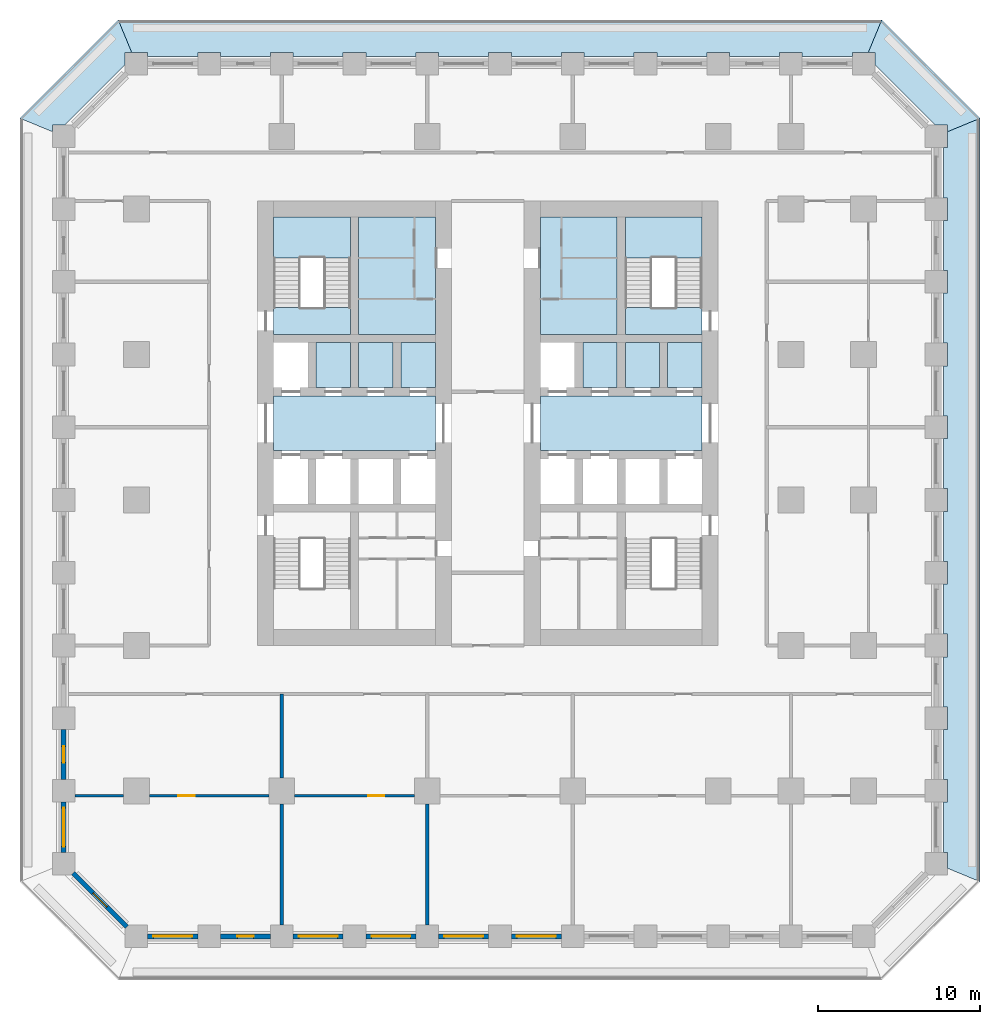
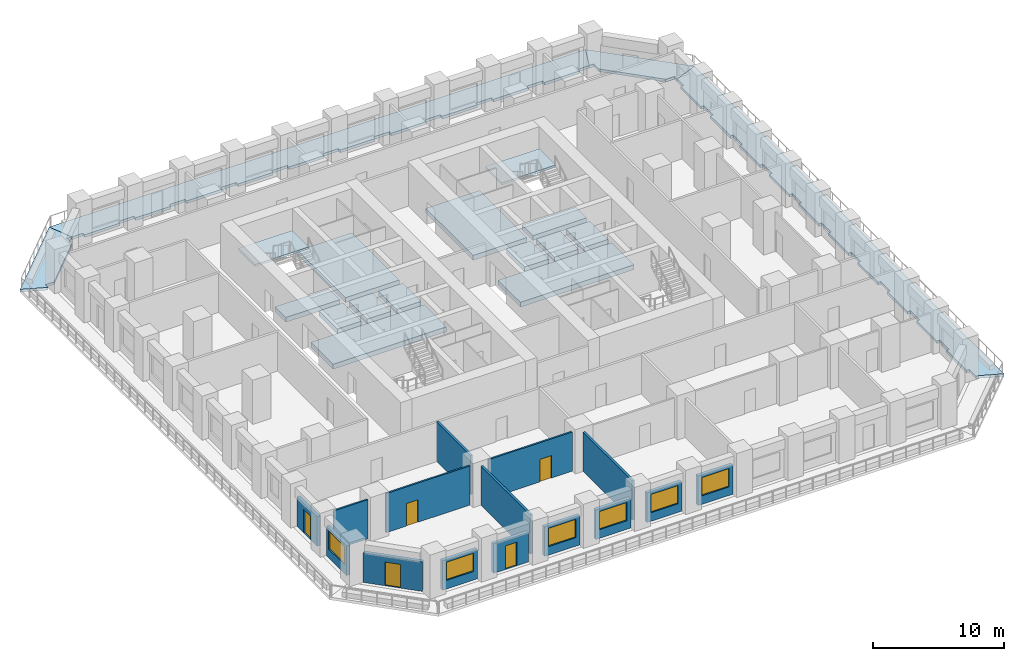
# One storey, part 2 of 11: 18 slabs, 15 walls, 6 windows, 5 doors, 11 openings, 2 elements without a shape of their own.
"""IFC4 building model written with IfcOpenShell, lengths in metres."""

import ifcopenshell
import ifcopenshell.guid

model = None  # the IFC model being written
_history = None  # IfcOwnerHistory: only IFC2X3 demands one
_inside = {}  # id of a spatial element -> (the spatial element, [elements in it])
_under = {}  # id of a project, library or spatial element -> (it, [spatial elements below it])
_declared = {}  # id of a project -> (the project, [libraries it declares])
_typed = {}  # id of a type object -> (the type object, [elements of that type])
_made_of = {}  # id of a material, layer set ... -> (it, [elements and type objects made of it])


def new_model(schema):
    """Start an empty IFC model of exactly this schema.

    Asked for "IFC4X3", IfcOpenShell would pick the latest addendum, in which some entities
    have other attributes; the version numbers below select the first issue.
    IFC2X3 requires an IfcOwnerHistory on every rooted entity: one is made here for all.
    """
    global model, _history
    if schema == "IFC4X3":
        model = ifcopenshell.file(schema_version=(4, 3, 0, 0))
    else:
        model = ifcopenshell.file(schema=schema)
    _inside.clear()
    _under.clear()
    _declared.clear()
    _typed.clear()
    _made_of.clear()
    _history = None
    if model.schema == "IFC2X3":
        org = make("IfcOrganization", Name="unknown")
        user = make(
            "IfcPersonAndOrganization",
            ThePerson=make("IfcPerson", FamilyName="unknown"),
            TheOrganization=org,
        )
        app = make(
            "IfcApplication",
            ApplicationDeveloper=org,
            Version="unknown",
            ApplicationFullName="unknown",
            ApplicationIdentifier="unknown",
        )
        _history = make(
            "IfcOwnerHistory",
            OwningUser=user,
            OwningApplication=app,
            ChangeAction="ADDED",
            CreationDate=0,
        )
    return model


def make(cls, **values):
    """One entity of the class cls with the attributes given. An attribute that is None is left unset."""
    return model.create_entity(
        cls, **{name: value for name, value in values.items() if value is not None}
    )


def rooted(cls, **values):
    """An entity with a GlobalId (a new one), such as an element, a storey or a relation."""
    return make(cls, GlobalId=ifcopenshell.guid.new(), OwnerHistory=_history, **values)


def si_unit(unit_type, name, prefix=None):
    """IfcSIUnit, for example si_unit("LENGTHUNIT", "METRE", prefix="MILLI")."""
    return make("IfcSIUnit", UnitType=unit_type, Prefix=prefix, Name=name)


def assignment(units):
    """IfcUnitAssignment: the units of a project."""
    return None if units is None else make("IfcUnitAssignment", Units=units)


def point(xyz):
    """IfcCartesianPoint."""
    return None if xyz is None else make("IfcCartesianPoint", Coordinates=xyz)


def direction(xyz):
    """IfcDirection."""
    return None if xyz is None else make("IfcDirection", DirectionRatios=xyz)


def frame(location, z_axis=None, x_axis=None):
    """IfcAxis2Placement3D, a coordinate frame: its origin and axes. An axis left out is left unset."""
    return make(
        "IfcAxis2Placement3D",
        Location=point(location),
        Axis=direction(z_axis),
        RefDirection=direction(x_axis),
    )


def frame_2d(location, x_axis=None):
    """IfcAxis2Placement2D, a coordinate frame in the plane: its origin and x axis."""
    return make(
        "IfcAxis2Placement2D", Location=point(location), RefDirection=direction(x_axis)
    )


def origin():
    """The frame at (0, 0, 0) with its axes left unset."""
    return frame((0.0, 0.0, 0.0))


def place(relative_to, where):
    """IfcLocalPlacement: puts the frame where relative to a parent placement (None: the world)."""
    return make(
        "IfcLocalPlacement", PlacementRelTo=relative_to, RelativePlacement=where
    )


def context(
    kind, dimensions, precision=None, world=None, true_north=None, identifier=None
):
    """IfcGeometricRepresentationContext, for example the 3D "Model" context."""
    return make(
        "IfcGeometricRepresentationContext",
        ContextIdentifier=identifier,
        ContextType=kind,
        CoordinateSpaceDimension=dimensions,
        Precision=precision,
        WorldCoordinateSystem=world,
        TrueNorth=true_north,
    )


def subcontext(parent, identifier, kind, view, scale=None):
    """IfcGeometricRepresentationSubContext, for example "Body" below "Model"."""
    return make(
        "IfcGeometricRepresentationSubContext",
        ContextIdentifier=identifier,
        ContextType=kind,
        ParentContext=parent,
        TargetScale=scale,
        TargetView=view,
    )


def project(units=None, contexts=None):
    """IfcProject with its units and contexts."""
    return rooted(
        "IfcProject",
        Name="project",
        RepresentationContexts=contexts,
        UnitsInContext=assignment(units),
    )


def spatial(cls, under=None, at=None, **own):
    """A site, building, storey or space (cls), placed at a placement, below another one or the project."""
    s = rooted(cls, ObjectPlacement=at, **own)
    if under is not None:
        _under.setdefault(under.id(), (under, []))[1].append(s)
    return s


def polyline(points):
    """IfcPolyline through the points."""
    return make("IfcPolyline", Points=[point(p) for p in points])


def profile(cls, at=None, kind="AREA", **sizes):
    """A parametric profile (cls). Its sizes go by their IFC names, for example OverallWidth=200.0."""
    return make(cls, ProfileType=kind, Position=at, **sizes)


def rectangle(**sizes):
    """IfcRectangleProfileDef."""
    return profile("IfcRectangleProfileDef", **sizes)


def outline(outer, holes=None, kind="AREA"):
    """IfcArbitraryClosedProfileDef: a profile drawn as a closed curve; with holes, ...WithVoids."""
    if holes is None:
        return make("IfcArbitraryClosedProfileDef", ProfileType=kind, OuterCurve=outer)
    return make(
        "IfcArbitraryProfileDefWithVoids",
        ProfileType=kind,
        OuterCurve=outer,
        InnerCurves=holes,
    )


def extrude(swept, where, along, depth):
    """IfcExtrudedAreaSolid: the profile swept, set in the frame where, extruded along a direction by depth."""
    return make(
        "IfcExtrudedAreaSolid",
        SweptArea=swept,
        Position=where,
        ExtrudedDirection=direction(along),
        Depth=depth,
    )


def shape(context_of_items, identifier, shape_type, items):
    """IfcShapeRepresentation: the items that make up one representation, for example the "Body"."""
    return make(
        "IfcShapeRepresentation",
        ContextOfItems=context_of_items,
        RepresentationIdentifier=identifier,
        RepresentationType=shape_type,
        Items=items,
    )


def material(Name=None, Category=None):
    """IfcMaterial."""
    return make("IfcMaterial", Name=Name, Category=Category)


def layer(
    of_material, thickness, ventilated=None, Name=None, Category=None, Priority=None
):
    """IfcMaterialLayer: one layer of a wall or slab, of a material (None: an air gap)."""
    return make(
        "IfcMaterialLayer",
        Material=of_material,
        LayerThickness=thickness,
        IsVentilated=ventilated,
        Name=Name,
        Category=Category,
        Priority=Priority,
    )


def layer_set(layers, Name=None):
    """IfcMaterialLayerSet."""
    return make("IfcMaterialLayerSet", MaterialLayers=layers, LayerSetName=Name)


def made_of(thing, what):
    """Note that an element or type object is made of a material, layer set ...; save() writes the relation."""
    if what is not None:
        _made_of.setdefault(what.id(), (what, []))[1].append(thing)
    return thing


def type_object(cls, material=None, **own):
    """A type object (cls), such as IfcWallType, which elements share."""
    return made_of(rooted(cls, **own), material)


def element(
    cls,
    number,
    at=None,
    inside=None,
    cuts=None,
    type_object=None,
    material=None,
    context=None,
    identifier="Body",
    shape_type=None,
    held_by="IfcProductDefinitionShape",
    body=None,
    shapes=None,
    **own,
):
    """One element of the class cls, such as IfcWall. Its Tag is "e" and its number.

    at: its placement. inside: the storey or other place that contains it. cuts: it is an
    opening in that element (IfcRelVoidsElement). A single representation is given by context,
    identifier, shape_type and body (its items); several are given by shapes. held_by: the class
    of the entity that holds the representations. save() writes the other relations.
    """
    e = rooted(cls, Tag="e%d" % number, ObjectPlacement=at, **own)
    if body is not None:
        shapes = [shape(context, identifier, shape_type, body)]
    if shapes is not None:
        e.Representation = make(held_by, Representations=shapes)
    if inside is not None:
        _inside.setdefault(inside.id(), (inside, []))[1].append(e)
    if cuts is not None:
        rooted(
            "IfcRelVoidsElement", RelatingBuildingElement=cuts, RelatedOpeningElement=e
        )
    if type_object is not None:
        _typed.setdefault(type_object.id(), (type_object, []))[1].append(e)
    return made_of(e, material)


def fill(opening, filler):
    """IfcRelFillsElement: the door or window that sits in an opening."""
    return rooted(
        "IfcRelFillsElement",
        RelatingOpeningElement=opening,
        RelatedBuildingElement=filler,
    )


def aggregate(whole, parts):
    """IfcRelAggregates: a whole, such as a stair, and the parts it consists of."""
    return rooted("IfcRelAggregates", RelatingObject=whole, RelatedObjects=parts)


def save(model, path):
    """Write the relations noted so far, then the file.

    IfcRelAggregates (storeys below a building ...), IfcRelContainedInSpatialStructure (elements
    in a storey), IfcRelDefinesByType, IfcRelAssociatesMaterial and IfcRelDeclares: one each for
    every whole, place, type object, material and project.
    """
    for whole, parts in _under.values():
        aggregate(whole, parts)
    for where, things in _inside.values():
        rooted(
            "IfcRelContainedInSpatialStructure",
            RelatedElements=things,
            RelatingStructure=where,
        )
    for kind, things in _typed.values():
        rooted("IfcRelDefinesByType", RelatedObjects=things, RelatingType=kind)
    for what, things in _made_of.values():
        rooted("IfcRelAssociatesMaterial", RelatedObjects=things, RelatingMaterial=what)
    for by, libraries in _declared.values():
        rooted("IfcRelDeclares", RelatingContext=by, RelatedDefinitions=libraries)
    model.write(path)


model = new_model("IFC4")

# Units and contexts
model_context = context("Model", 3, precision=1e-05, world=origin(), true_north=direction((0.0, 1.0)))
body_context = subcontext(model_context, "Body", "Model", "MODEL_VIEW")
ifc_project = project(units=[si_unit("LENGTHUNIT", "METRE"), si_unit("AREAUNIT", "SQUARE_METRE"), si_unit("VOLUMEUNIT", "CUBIC_METRE"), si_unit("PLANEANGLEUNIT", "RADIAN"), si_unit("MASSUNIT", "GRAM", prefix="KILO")], contexts=[model_context])

# Site, building, storey
site_placement = place(None, origin())
site = spatial("IfcSite", under=ifc_project, at=site_placement, CompositionType="ELEMENT")
building_placement = place(site_placement, origin())
building = spatial("IfcBuilding", under=site, at=building_placement, Name="Corbel Stack Research Tower", CompositionType="ELEMENT")
storey_placement = place(building_placement, frame((0.0, 0.0, 62.39990234375)))
storey = spatial("IfcBuildingStorey", under=building, at=storey_placement, Name="L14", CompositionType="ELEMENT", Elevation=62.39990234375)

# Slabs
ifc_material_1 = material(Name="Concrete C45/55", Category="concrete")
ifc_layer_1 = layer(ifc_material_1, 0.25)
ifc_layer_set_1 = layer_set([ifc_layer_1], Name="Concrete C45/55")
slab_type_1 = type_object("IfcSlabType", Name="PT balcony slab 250 C45/55", PredefinedType="FLOOR", material=ifc_layer_set_1)
slab_1_placement = place(storey_placement, frame((0.0, 0.0, -0.25)))
element("IfcSlab", 1, at=slab_1_placement, inside=storey, type_object=slab_type_1, Name="Loggia slab L14 E", PredefinedType="FLOOR", context=body_context, shape_type="SweptSolid", body=[
    extrude(outline(polyline([(32.199951171875, 22.789794921875), (32.199951171875, 21.800048828125), (31.949951171875, 21.800048828125), (31.949951171875, 18.699951171875), (32.199951171875, 18.699951171875), (32.199951171875, 17.300048828125), (31.949951171875, 17.300048828125), (31.949951171875, 14.199951171875), (32.199951171875, 14.199951171875), (32.199951171875, 12.800048828125), (31.949951171875, 12.800048828125), (31.949951171875, 9.699951171875), (32.199951171875, 9.699951171875), (32.199951171875, 8.300048828125), (31.949951171875, 8.300048828125), (31.949951171875, 5.199951171875), (32.199951171875, 5.199951171875), (32.199951171875, 3.800048828125), (31.949951171875, 3.800048828125), (31.949951171875, 0.699951171875), (32.199951171875, 0.699951171875), (32.199951171875, -0.699951171875), (31.949951171875, -0.699951171875), (31.949951171875, -3.800048828125), (32.199951171875, -3.800048828125), (32.199951171875, -5.199951171875), (31.949951171875, -5.199951171875), (31.949951171875, -8.300048828125), (32.199951171875, -8.300048828125), (32.199951171875, -9.699951171875), (31.949951171875, -9.699951171875), (31.949951171875, -12.800048828125), (32.199951171875, -12.800048828125), (32.199951171875, -14.199951171875), (31.949951171875, -14.199951171875), (31.949951171875, -17.300048828125), (32.199951171875, -17.300048828125), (32.199951171875, -18.699951171875), (31.949951171875, -18.699951171875), (31.949951171875, -21.800048828125), (32.199951171875, -21.800048828125), (32.199951171875, -22.789794921875), (34.199951171875, -23.618408203125), (34.199951171875, 23.618408203125), (32.199951171875, 22.789794921875)])), origin(), (0.0, 0.0, 1.0), 0.25),
])
slab_2_placement = place(storey_placement, frame((0.0, 0.0, -0.25)))
element("IfcSlab", 2, at=slab_2_placement, inside=storey, type_object=slab_type_1, Name="Loggia slab L14 NE", PredefinedType="FLOOR", context=body_context, shape_type="SweptSolid", body=[
    extrude(outline(polyline([(27.289794921875, 27.699951171875), (27.699951171875, 27.699951171875), (27.699951171875, 26.936279296875), (31.436279296875, 23.199951171875), (32.199951171875, 23.199951171875), (32.199951171875, 22.789794921875), (34.199951171875, 23.618408203125), (28.118408203125, 29.699951171875), (27.289794921875, 27.699951171875)])), origin(), (0.0, 0.0, 1.0), 0.25),
])
slab_3_placement = place(storey_placement, frame((0.0, 0.0, -0.25)))
element("IfcSlab", 3, at=slab_3_placement, inside=storey, type_object=slab_type_1, Name="Loggia slab L14 N", PredefinedType="FLOOR", context=body_context, shape_type="SweptSolid", body=[
    extrude(outline(polyline([(-18.289794921875, 27.699951171875), (-17.300048828125, 27.699951171875), (-17.300048828125, 27.449951171875), (-14.199951171875, 27.449951171875), (-14.199951171875, 27.699951171875), (-12.800048828125, 27.699951171875), (-12.800048828125, 27.449951171875), (-9.699951171875, 27.449951171875), (-9.699951171875, 27.699951171875), (-8.300048828125, 27.699951171875), (-8.300048828125, 27.449951171875), (-5.199951171875, 27.449951171875), (-5.199951171875, 27.699951171875), (-3.800048828125, 27.699951171875), (-3.800048828125, 27.449951171875), (-0.699951171875, 27.449951171875), (-0.699951171875, 27.699951171875), (0.699951171875, 27.699951171875), (0.699951171875, 27.449951171875), (3.800048828125, 27.449951171875), (3.800048828125, 27.699951171875), (5.199951171875, 27.699951171875), (5.199951171875, 27.449951171875), (8.300048828125, 27.449951171875), (8.300048828125, 27.699951171875), (9.699951171875, 27.699951171875), (9.699951171875, 27.449951171875), (12.800048828125, 27.449951171875), (12.800048828125, 27.699951171875), (14.199951171875, 27.699951171875), (14.199951171875, 27.449951171875), (17.300048828125, 27.449951171875), (17.300048828125, 27.699951171875), (18.699951171875, 27.699951171875), (18.699951171875, 27.449951171875), (21.800048828125, 27.449951171875), (21.800048828125, 27.699951171875), (23.199951171875, 27.699951171875), (23.199951171875, 27.449951171875), (26.300048828125, 27.449951171875), (26.300048828125, 27.699951171875), (27.289794921875, 27.699951171875), (28.118408203125, 29.699951171875), (-19.118408203125, 29.699951171875), (-18.289794921875, 27.699951171875)])), origin(), (0.0, 0.0, 1.0), 0.25),
])
slab_4_placement = place(storey_placement, frame((0.0, 0.0, -0.25)))
element("IfcSlab", 4, at=slab_4_placement, inside=storey, type_object=slab_type_1, Name="Loggia slab L14 NW", PredefinedType="FLOOR", context=body_context, shape_type="SweptSolid", body=[
    extrude(outline(polyline([(-23.199951171875, 22.789794921875), (-23.199951171875, 23.199951171875), (-22.436279296875, 23.199951171875), (-18.699951171875, 26.936279296875), (-18.699951171875, 27.699951171875), (-18.289794921875, 27.699951171875), (-19.118408203125, 29.699951171875), (-25.199951171875, 23.618408203125), (-23.199951171875, 22.789794921875)])), origin(), (0.0, 0.0, 1.0), 0.25),
])
ifc_material_2 = material(Name="Concrete C45/55", Category="concrete")
ifc_layer_2 = layer(ifc_material_2, 0.449951171875)
ifc_layer_set_2 = layer_set([ifc_layer_2], Name="Concrete C45/55")
slab_type_2 = type_object("IfcSlabType", Name="PT-450", PredefinedType="FLOOR", material=ifc_layer_set_2)
slab_5_placement = place(storey_placement, frame((0.0, 0.0, -0.449951171875)))
element("IfcSlab", 5, at=slab_5_placement, inside=storey, type_object=slab_type_2, Name="West core floor L14", PredefinedType="FLOOR", context=body_context, shape_type="SweptSolid", body=[
    extrude(outline(polyline([(-9.5, 6.449951171875), (-9.5, 3.050048828125), (0.5, 3.050048828125), (0.5, 6.449951171875), (-9.5, 6.449951171875)])), origin(), (0.0, 0.0, 1.0), 0.449951171875),
])
slab_6_placement = place(storey_placement, frame((0.0, 0.0, -0.449951171875)))
element("IfcSlab", 6, at=slab_6_placement, inside=storey, type_object=slab_type_2, Name="West core floor L14", PredefinedType="FLOOR", context=body_context, shape_type="SweptSolid", body=[
    extrude(outline(polyline([(-6.875, 6.949951171875), (-4.75, 6.949951171875), (-4.75, 9.75), (-6.875, 9.75), (-6.875, 6.949951171875)])), origin(), (0.0, 0.0, 1.0), 0.449951171875),
])
slab_7_placement = place(storey_placement, frame((0.0, 0.0, -0.449951171875)))
element("IfcSlab", 7, at=slab_7_placement, inside=storey, type_object=slab_type_2, Name="West core floor L14", PredefinedType="FLOOR", context=body_context, shape_type="SweptSolid", body=[
    extrude(outline(polyline([(-2.125, 6.949951171875), (-2.125, 9.75), (-4.25, 9.75), (-4.25, 6.949951171875), (-2.125, 6.949951171875)])), origin(), (0.0, 0.0, 1.0), 0.449951171875),
])
slab_8_placement = place(storey_placement, frame((0.0, 0.0, -0.449951171875)))
element("IfcSlab", 8, at=slab_8_placement, inside=storey, type_object=slab_type_2, Name="West core floor L14", PredefinedType="FLOOR", context=body_context, shape_type="SweptSolid", body=[
    extrude(outline(polyline([(-4.25, 17.5), (-4.25, 10.25), (0.5, 10.25), (0.5, 17.5), (-4.25, 17.5)])), origin(), (0.0, 0.0, 1.0), 0.449951171875),
])
slab_9_placement = place(storey_placement, frame((0.0, 0.0, -0.449951171875)))
element("IfcSlab", 9, at=slab_9_placement, inside=storey, type_object=slab_type_2, Name="West core floor L14", PredefinedType="FLOOR", context=body_context, shape_type="SweptSolid", body=[
    extrude(outline(polyline([(0.5, 6.949951171875), (0.5, 9.75), (-1.625, 9.75), (-1.625, 6.949951171875), (0.5, 6.949951171875)])), origin(), (0.0, 0.0, 1.0), 0.449951171875),
])
slab_10_placement = place(storey_placement, frame((0.0, 0.0, -0.449951171875)))
element("IfcSlab", 10, at=slab_10_placement, inside=storey, type_object=slab_type_2, Name="East core floor L14", PredefinedType="FLOOR", context=body_context, shape_type="SweptSolid", body=[
    extrude(outline(polyline([(7.0, 6.449951171875), (7.0, 3.050048828125), (17.0, 3.050048828125), (17.0, 6.449951171875), (7.0, 6.449951171875)])), origin(), (0.0, 0.0, 1.0), 0.449951171875),
])
slab_11_placement = place(storey_placement, frame((0.0, 0.0, -0.449951171875)))
element("IfcSlab", 11, at=slab_11_placement, inside=storey, type_object=slab_type_2, Name="East core floor L14", PredefinedType="FLOOR", context=body_context, shape_type="SweptSolid", body=[
    extrude(outline(polyline([(7.0, 17.5), (7.0, 10.25), (11.75, 10.25), (11.75, 17.5), (7.0, 17.5)])), origin(), (0.0, 0.0, 1.0), 0.449951171875),
])
slab_12_placement = place(storey_placement, frame((0.0, 0.0, -0.449951171875)))
element("IfcSlab", 12, at=slab_12_placement, inside=storey, type_object=slab_type_2, Name="East core floor L14", PredefinedType="FLOOR", context=body_context, shape_type="SweptSolid", body=[
    extrude(outline(polyline([(9.625, 6.949951171875), (11.75, 6.949951171875), (11.75, 9.75), (9.625, 9.75), (9.625, 6.949951171875)])), origin(), (0.0, 0.0, 1.0), 0.449951171875),
])
slab_13_placement = place(storey_placement, frame((0.0, 0.0, -0.449951171875)))
element("IfcSlab", 13, at=slab_13_placement, inside=storey, type_object=slab_type_2, Name="East core floor L14", PredefinedType="FLOOR", context=body_context, shape_type="SweptSolid", body=[
    extrude(outline(polyline([(14.375, 6.949951171875), (14.375, 9.75), (12.25, 9.75), (12.25, 6.949951171875), (14.375, 6.949951171875)])), origin(), (0.0, 0.0, 1.0), 0.449951171875),
])
slab_14_placement = place(storey_placement, frame((0.0, 0.0, -0.449951171875)))
element("IfcSlab", 14, at=slab_14_placement, inside=storey, type_object=slab_type_2, Name="East core floor L14", PredefinedType="FLOOR", context=body_context, shape_type="SweptSolid", body=[
    extrude(outline(polyline([(17.0, 6.949951171875), (17.0, 9.75), (14.875, 9.75), (14.875, 6.949951171875), (17.0, 6.949951171875)])), origin(), (0.0, 0.0, 1.0), 0.449951171875),
])
slab_15_placement = place(storey_placement, frame((0.0, 0.0, -0.449951171875)))
element("IfcSlab", 15, at=slab_15_placement, inside=storey, type_object=slab_type_2, Name="Stair floor landing ST-W2", PredefinedType="FLOOR", context=body_context, shape_type="SweptSolid", body=[
    extrude(outline(polyline([(-9.5, 10.25), (-4.75, 10.25), (-4.75, 11.89990234375), (-9.5, 11.89990234375), (-9.5, 10.25)])), origin(), (0.0, 0.0, 1.0), 0.449951171875),
])
slab_16_placement = place(storey_placement, frame((0.0, 0.0, -0.449951171875)))
element("IfcSlab", 16, at=slab_16_placement, inside=storey, type_object=slab_type_2, Name="Stair floor landing ST-E2", PredefinedType="FLOOR", context=body_context, shape_type="SweptSolid", body=[
    extrude(outline(polyline([(12.25, 10.25), (17.0, 10.25), (17.0, 11.89990234375), (12.25, 11.89990234375), (12.25, 10.25)])), origin(), (0.0, 0.0, 1.0), 0.449951171875),
])

# Stair, slab
ifc_material_3 = material(Name="Concrete C40/50", Category="concrete")
stair_type = type_object("IfcStairType", Name="Exit stair 24 risers", PredefinedType="HALF_TURN_STAIR", material=ifc_material_3)
stair_1_placement = place(storey_placement, origin())
stair_1 = element("IfcStair", 17, at=stair_1_placement, inside=storey, type_object=stair_type, Name="L14 Exit stair ST-W2", PredefinedType="HALF_TURN_STAIR")
ifc_material_4 = material(Name="Concrete C40/50", Category="concrete")
ifc_layer_3 = layer(ifc_material_4, 0.199951171875)
ifc_layer_set_3 = layer_set([ifc_layer_3], Name="Concrete C40/50")
slab_type_3 = type_object("IfcSlabType", Name="Stair landing 200 C40/50", PredefinedType="LANDING", material=ifc_layer_set_3)
slab_17_placement = place(storey_placement, frame((0.0, 0.0, 1.85009765625)))
slab_17 = element("IfcSlab", 18, at=slab_17_placement, type_object=slab_type_3, Name="ST-W2 landing 1", PredefinedType="LANDING", context=body_context, shape_type="SweptSolid", body=[
    extrude(outline(polyline([(-9.5, 14.97998046875), (-9.5, 17.5), (-4.75, 17.5), (-4.75, 14.97998046875), (-9.5, 14.97998046875)])), origin(), (0.0, 0.0, 1.0), 0.199951171875),
])
aggregate(stair_1, [slab_17])

stair_2_placement = place(storey_placement, origin())
stair_2 = element("IfcStair", 19, at=stair_2_placement, inside=storey, type_object=stair_type, Name="L14 Exit stair ST-E2", PredefinedType="HALF_TURN_STAIR")
slab_18_placement = place(storey_placement, frame((0.0, 0.0, 1.85009765625)))
slab_18 = element("IfcSlab", 20, at=slab_18_placement, type_object=slab_type_3, Name="ST-E2 landing 1", PredefinedType="LANDING", context=body_context, shape_type="SweptSolid", body=[
    extrude(outline(polyline([(12.25, 14.97998046875), (12.25, 17.5), (17.0, 17.5), (17.0, 14.97998046875), (12.25, 14.97998046875)])), origin(), (0.0, 0.0, 1.0), 0.199951171875),
])
aggregate(stair_2, [slab_18])

# Walls
ifc_material_5 = material(Name="Fire-rated gypsum board partition on steel studs", Category="steel")
ifc_layer_4 = layer(ifc_material_5, 0.199951171875)
ifc_layer_set_4 = layer_set([ifc_layer_4], Name="Fire-rated gypsum board partition on steel studs")
wall_type_1 = type_object("IfcWallType", Name="Fire-rated partition 200 EI 60", PredefinedType="PARTITIONING", material=ifc_layer_set_4)
wall_1_placement = place(storey_placement, frame((-9.0, -26.300048828125, 0.0), z_axis=(0.0, 0.0, 1.0), x_axis=(0.0, 1.0, 0.0)))
element("IfcWall", 21, at=wall_1_placement, inside=storey, type_object=wall_type_1, Name="Partition L14-002", PredefinedType="PARTITIONING", context=body_context, shape_type="SweptSolid", body=[
    extrude(rectangle(XDim=7.5, YDim=0.199951171875, at=frame_2d((3.75, 0.0))), origin(), (0.0, 0.0, 1.0), 3.650146484375),
])
wall_2_placement = place(storey_placement, frame((-9.0, -17.199951171875, 0.0), z_axis=(0.0, 0.0, 1.0), x_axis=(0.0, 1.0, 0.0)))
element("IfcWall", 22, at=wall_2_placement, inside=storey, type_object=wall_type_1, Name="Partition L14-003", PredefinedType="PARTITIONING", context=body_context, shape_type="SweptSolid", body=[
    extrude(rectangle(XDim=5.199951171875, YDim=0.199951171875, at=frame_2d((2.60009765625, 0.0))), origin(), (0.0, 0.0, 1.0), 3.650146484375),
])
wall_3_placement = place(storey_placement, frame((0.0, -26.300048828125, 0.0), z_axis=(0.0, 0.0, 1.0), x_axis=(0.0, 1.0, 0.0)))
element("IfcWall", 23, at=wall_3_placement, inside=storey, type_object=wall_type_1, Name="Partition L14-005", PredefinedType="PARTITIONING", context=body_context, shape_type="SweptSolid", body=[
    extrude(rectangle(XDim=7.5, YDim=0.199951171875, at=frame_2d((3.75, 0.0))), origin(), (0.0, 0.0, 1.0), 3.650146484375),
])
ifc_material_6 = material(Name="Gypsum board partition on steel studs", Category="steel")
ifc_layer_5 = layer(ifc_material_6, 0.14990234375)
ifc_layer_set_5 = layer_set([ifc_layer_5], Name="Gypsum board partition on steel studs")
wall_type_2 = type_object("IfcWallType", Name="Partition 150", PredefinedType="PARTITIONING", material=ifc_layer_set_5)
wall_4_placement = place(storey_placement, frame((-21.800048828125, -18.300048828125, 0.0), z_axis=(0.0, 0.0, 1.0), x_axis=(1.0, 0.0, 0.0)))
element("IfcWall", 24, at=wall_4_placement, inside=storey, type_object=wall_type_2, Name="Partition L14-018", PredefinedType="PARTITIONING", context=body_context, shape_type="SweptSolid", body=[
    extrude(rectangle(XDim=3.0, YDim=0.14990234375, at=frame_2d((1.5, 0.0))), origin(), (0.0, 0.0, 1.0), 3.650146484375),
])

# Wall, opening, door
wall_5_placement = place(storey_placement, frame((-9.800048828125, -18.300048828125, 0.0), z_axis=(0.0, 0.0, 1.0), x_axis=(-1.0, 0.0, 0.0)))
wall_5 = element("IfcWall", 25, at=wall_5_placement, inside=storey, type_object=wall_type_2, Name="Partition L14-019", PredefinedType="PARTITIONING", context=body_context, shape_type="SweptSolid", body=[
    extrude(rectangle(XDim=7.39990234375, YDim=0.14990234375, at=frame_2d((3.699951171875, 0.0))), origin(), (0.0, 0.0, 1.0), 3.650146484375),
])
opening_1_placement = place(wall_5_placement, frame((4.60009765625, 0.0, 0.0)))
opening_1 = element("IfcOpeningElement", 26, at=opening_1_placement, cuts=wall_5, Name="Opening B2V2-001", PredefinedType="OPENING", context=body_context, shape_type="SweptSolid", body=[
    extrude(rectangle(XDim=1.0, YDim=2.10009765625, at=frame_2d((0.5, 1.050048828125))), frame((0.0, 0.0849609375, 0.0), z_axis=(0.0, -1.0, 0.0), x_axis=(1.0, 0.0, 0.0)), (0.0, 0.0, 1.0), 0.169921875),
])
ifc_material_7 = material(Name="Painted timber door", Category="wood")
door_type_1 = type_object("IfcDoorType", Name="Single door 1000 x 2100", OperationType="NOTDEFINED", PredefinedType="DOOR", material=ifc_material_7)
door_1_placement = place(opening_1_placement, origin())
door_1 = element("IfcDoor", 27, at=door_1_placement, inside=storey, type_object=door_type_1, Name="Door B2V2-001", OperationType="SINGLE_SWING_RIGHT", OverallHeight=2.10009765625, OverallWidth=1.0, PredefinedType="DOOR", context=body_context, shape_type="SweptSolid", body=[
    extrude(rectangle(XDim=1.0, YDim=2.10009765625, at=frame_2d((0.5, 1.050048828125))), frame((0.0, 0.02490234375, 0.0), z_axis=(0.0, -1.0, 0.0), x_axis=(1.0, 0.0, 0.0)), (0.0, 0.0, 1.0), 0.050048828125),
])
fill(opening_1, door_1)

wall_6_placement = place(storey_placement, frame((-0.800048828125, -18.300048828125, 0.0), z_axis=(0.0, 0.0, 1.0), x_axis=(-1.0, 0.0, 0.0)))
wall_6 = element("IfcWall", 28, at=wall_6_placement, inside=storey, type_object=wall_type_2, Name="Partition L14-020", PredefinedType="PARTITIONING", context=body_context, shape_type="SweptSolid", body=[
    extrude(rectangle(XDim=7.39990234375, YDim=0.14990234375, at=frame_2d((3.699951171875, 0.0))), origin(), (0.0, 0.0, 1.0), 3.650146484375),
])
opening_2_placement = place(wall_6_placement, frame((1.85009765625, 0.0, 0.0)))
opening_2 = element("IfcOpeningElement", 29, at=opening_2_placement, cuts=wall_6, Name="Opening B2V2-002", PredefinedType="OPENING", context=body_context, shape_type="SweptSolid", body=[
    extrude(rectangle(XDim=1.0, YDim=2.10009765625, at=frame_2d((0.5, 1.050048828125))), frame((0.0, 0.0849609375, 0.0), z_axis=(0.0, -1.0, 0.0), x_axis=(1.0, 0.0, 0.0)), (0.0, 0.0, 1.0), 0.169921875),
])
door_2_placement = place(opening_2_placement, origin())
door_2 = element("IfcDoor", 30, at=door_2_placement, inside=storey, type_object=door_type_1, Name="Door B2V2-002", OperationType="SINGLE_SWING_LEFT", OverallHeight=2.10009765625, OverallWidth=1.0, PredefinedType="DOOR", context=body_context, shape_type="SweptSolid", body=[
    extrude(rectangle(XDim=1.0, YDim=2.10009765625, at=frame_2d((0.5, 1.050048828125))), frame((0.0, 0.02490234375, 0.0), z_axis=(0.0, -1.0, 0.0), x_axis=(1.0, 0.0, 0.0)), (0.0, 0.0, 1.0), 0.050048828125),
])
fill(opening_2, door_2)

# Wall, opening, window
ifc_material_8 = material(Name="Concrete C45/55", Category="concrete")
ifc_layer_6 = layer(ifc_material_8, 0.300048828125)
ifc_layer_set_6 = layer_set([ifc_layer_6], Name="Concrete C45/55")
wall_type_3 = type_object("IfcWallType", Name="Terracotta-faced concrete wall 300", PredefinedType="SOLIDWALL", material=ifc_layer_set_6)
wall_7_placement = place(storey_placement, frame((-14.199951171875, -27.0, 0.0), z_axis=(0.0, 0.0, 1.0), x_axis=(-1.0, 0.0, 0.0)))
wall_7 = element("IfcWall", 31, at=wall_7_placement, inside=storey, type_object=wall_type_3, Name="Facade wall L14 S01", PredefinedType="SOLIDWALL", context=body_context, shape_type="SweptSolid", body=[
    extrude(rectangle(XDim=3.10009765625, YDim=0.300048828125, at=frame_2d((1.550048828125, 0.0))), origin(), (0.0, 0.0, 1.0), 2.75),
])
opening_3_placement = place(wall_7_placement, frame((0.35009765625, 0.0, 0.800048828125)))
opening_3 = element("IfcOpeningElement", 32, at=opening_3_placement, cuts=wall_7, Name="Opening W1", PredefinedType="OPENING", context=body_context, shape_type="SweptSolid", body=[
    extrude(rectangle(XDim=2.39990234375, YDim=1.699951171875, at=frame_2d((1.199951171875, 0.85009765625))), frame((0.0, 0.159912109375, 0.0), z_axis=(0.0, -1.0, 0.0), x_axis=(1.0, 0.0, 0.0)), (0.0, 0.0, 1.0), 0.320068359375),
])
ifc_material_9 = material(Name="Aluminium frame, clear double glazing", Category="aluminium")
window_type = type_object("IfcWindowType", Name="Window W1 2400 x 1700", PartitioningType="SINGLE_PANEL", PredefinedType="WINDOW", material=ifc_material_9)
window_1_placement = place(opening_3_placement, origin())
window_1 = element("IfcWindow", 33, at=window_1_placement, inside=storey, type_object=window_type, Name="Window W1 L14 S01", OverallHeight=1.699951171875, OverallWidth=2.39990234375, PartitioningType="SINGLE_PANEL", PredefinedType="WINDOW", context=body_context, shape_type="SweptSolid", body=[
    extrude(rectangle(XDim=2.39990234375, YDim=1.699951171875, at=frame_2d((1.199951171875, 0.85009765625))), frame((0.0, 0.030029296875, 0.0), z_axis=(0.0, -1.0, 0.0), x_axis=(1.0, 0.0, 0.0)), (0.0, 0.0, 1.0), 0.06005859375),
])
fill(opening_3, window_1)

# Wall, opening, door
wall_8_placement = place(storey_placement, frame((-9.699951171875, -27.0, 0.0), z_axis=(0.0, 0.0, 1.0), x_axis=(-1.0, 0.0, 0.0)))
wall_8 = element("IfcWall", 34, at=wall_8_placement, inside=storey, type_object=wall_type_3, Name="Facade wall L14 S02", PredefinedType="SOLIDWALL", context=body_context, shape_type="SweptSolid", body=[
    extrude(rectangle(XDim=3.10009765625, YDim=0.300048828125, at=frame_2d((1.550048828125, 0.0))), origin(), (0.0, 0.0, 1.0), 2.75),
])
opening_4_placement = place(wall_8_placement, frame((1.050048828125, 0.0, 0.0)))
opening_4 = element("IfcOpeningElement", 35, at=opening_4_placement, cuts=wall_8, Name="Opening L14-B01", PredefinedType="OPENING", context=body_context, shape_type="SweptSolid", body=[
    extrude(rectangle(XDim=1.0, YDim=2.199951171875, at=frame_2d((0.5, 1.10009765625))), frame((0.0, 0.159912109375, 0.0), z_axis=(0.0, -1.0, 0.0), x_axis=(1.0, 0.0, 0.0)), (0.0, 0.0, 1.0), 0.320068359375),
])
ifc_material_10 = material(Name="Aluminium frame, clear double glazing", Category="aluminium")
door_type_2 = type_object("IfcDoorType", Name="Balcony door BD1 1000 x 2200", OperationType="NOTDEFINED", PredefinedType="DOOR", material=ifc_material_10)
door_3_placement = place(opening_4_placement, origin())
door_3 = element("IfcDoor", 36, at=door_3_placement, inside=storey, type_object=door_type_2, Name="Balcony door L14-B01", OperationType="SINGLE_SWING_RIGHT", OverallHeight=2.199951171875, OverallWidth=1.0, PredefinedType="DOOR", context=body_context, shape_type="SweptSolid", body=[
    extrude(rectangle(XDim=1.0, YDim=2.199951171875, at=frame_2d((0.5, 1.10009765625))), frame((0.0, 0.02490234375, 0.0), z_axis=(0.0, -1.0, 0.0), x_axis=(1.0, 0.0, 0.0)), (0.0, 0.0, 1.0), 0.050048828125),
])
fill(opening_4, door_3)

# Wall, opening, window
wall_9_placement = place(storey_placement, frame((-5.199951171875, -27.0, 0.0), z_axis=(0.0, 0.0, 1.0), x_axis=(-1.0, 0.0, 0.0)))
wall_9 = element("IfcWall", 37, at=wall_9_placement, inside=storey, type_object=wall_type_3, Name="Facade wall L14 S03", PredefinedType="SOLIDWALL", context=body_context, shape_type="SweptSolid", body=[
    extrude(rectangle(XDim=3.10009765625, YDim=0.300048828125, at=frame_2d((1.550048828125, 0.0))), origin(), (0.0, 0.0, 1.0), 2.75),
])
opening_5_placement = place(wall_9_placement, frame((0.35009765625, 0.0, 0.800048828125)))
opening_5 = element("IfcOpeningElement", 38, at=opening_5_placement, cuts=wall_9, Name="Opening W1", PredefinedType="OPENING", context=body_context, shape_type="SweptSolid", body=[
    extrude(rectangle(XDim=2.39990234375, YDim=1.699951171875, at=frame_2d((1.199951171875, 0.85009765625))), frame((0.0, 0.159912109375, 0.0), z_axis=(0.0, -1.0, 0.0), x_axis=(1.0, 0.0, 0.0)), (0.0, 0.0, 1.0), 0.320068359375),
])
window_2_placement = place(opening_5_placement, origin())
window_2 = element("IfcWindow", 39, at=window_2_placement, inside=storey, type_object=window_type, Name="Window W1 L14 S03", OverallHeight=1.699951171875, OverallWidth=2.39990234375, PartitioningType="SINGLE_PANEL", PredefinedType="WINDOW", context=body_context, shape_type="SweptSolid", body=[
    extrude(rectangle(XDim=2.39990234375, YDim=1.699951171875, at=frame_2d((1.199951171875, 0.85009765625))), frame((0.0, 0.030029296875, 0.0), z_axis=(0.0, -1.0, 0.0), x_axis=(1.0, 0.0, 0.0)), (0.0, 0.0, 1.0), 0.06005859375),
])
fill(opening_5, window_2)

wall_10_placement = place(storey_placement, frame((-0.699951171875, -27.0, 0.0), z_axis=(0.0, 0.0, 1.0), x_axis=(-1.0, 0.0, 0.0)))
wall_10 = element("IfcWall", 40, at=wall_10_placement, inside=storey, type_object=wall_type_3, Name="Facade wall L14 S04", PredefinedType="SOLIDWALL", context=body_context, shape_type="SweptSolid", body=[
    extrude(rectangle(XDim=3.10009765625, YDim=0.300048828125, at=frame_2d((1.550048828125, 0.0))), origin(), (0.0, 0.0, 1.0), 2.75),
])
opening_6_placement = place(wall_10_placement, frame((0.35009765625, 0.0, 0.800048828125)))
opening_6 = element("IfcOpeningElement", 41, at=opening_6_placement, cuts=wall_10, Name="Opening W1", PredefinedType="OPENING", context=body_context, shape_type="SweptSolid", body=[
    extrude(rectangle(XDim=2.39990234375, YDim=1.699951171875, at=frame_2d((1.199951171875, 0.85009765625))), frame((0.0, 0.159912109375, 0.0), z_axis=(0.0, -1.0, 0.0), x_axis=(1.0, 0.0, 0.0)), (0.0, 0.0, 1.0), 0.320068359375),
])
window_3_placement = place(opening_6_placement, origin())
window_3 = element("IfcWindow", 42, at=window_3_placement, inside=storey, type_object=window_type, Name="Window W1 L14 S04", OverallHeight=1.699951171875, OverallWidth=2.39990234375, PartitioningType="SINGLE_PANEL", PredefinedType="WINDOW", context=body_context, shape_type="SweptSolid", body=[
    extrude(rectangle(XDim=2.39990234375, YDim=1.699951171875, at=frame_2d((1.199951171875, 0.85009765625))), frame((0.0, 0.030029296875, 0.0), z_axis=(0.0, -1.0, 0.0), x_axis=(1.0, 0.0, 0.0)), (0.0, 0.0, 1.0), 0.06005859375),
])
fill(opening_6, window_3)

wall_11_placement = place(storey_placement, frame((3.800048828125, -27.0, 0.0), z_axis=(0.0, 0.0, 1.0), x_axis=(-1.0, 0.0, 0.0)))
wall_11 = element("IfcWall", 43, at=wall_11_placement, inside=storey, type_object=wall_type_3, Name="Facade wall L14 S05", PredefinedType="SOLIDWALL", context=body_context, shape_type="SweptSolid", body=[
    extrude(rectangle(XDim=3.10009765625, YDim=0.300048828125, at=frame_2d((1.550048828125, 0.0))), origin(), (0.0, 0.0, 1.0), 2.75),
])
opening_7_placement = place(wall_11_placement, frame((0.35009765625, 0.0, 0.800048828125)))
opening_7 = element("IfcOpeningElement", 44, at=opening_7_placement, cuts=wall_11, Name="Opening W1", PredefinedType="OPENING", context=body_context, shape_type="SweptSolid", body=[
    extrude(rectangle(XDim=2.39990234375, YDim=1.699951171875, at=frame_2d((1.199951171875, 0.85009765625))), frame((0.0, 0.159912109375, 0.0), z_axis=(0.0, -1.0, 0.0), x_axis=(1.0, 0.0, 0.0)), (0.0, 0.0, 1.0), 0.320068359375),
])
window_4_placement = place(opening_7_placement, origin())
window_4 = element("IfcWindow", 45, at=window_4_placement, inside=storey, type_object=window_type, Name="Window W1 L14 S05", OverallHeight=1.699951171875, OverallWidth=2.39990234375, PartitioningType="SINGLE_PANEL", PredefinedType="WINDOW", context=body_context, shape_type="SweptSolid", body=[
    extrude(rectangle(XDim=2.39990234375, YDim=1.699951171875, at=frame_2d((1.199951171875, 0.85009765625))), frame((0.0, 0.030029296875, 0.0), z_axis=(0.0, -1.0, 0.0), x_axis=(1.0, 0.0, 0.0)), (0.0, 0.0, 1.0), 0.06005859375),
])
fill(opening_7, window_4)

wall_12_placement = place(storey_placement, frame((8.300048828125, -27.0, 0.0), z_axis=(0.0, 0.0, 1.0), x_axis=(-1.0, 0.0, 0.0)))
wall_12 = element("IfcWall", 46, at=wall_12_placement, inside=storey, type_object=wall_type_3, Name="Facade wall L14 S06", PredefinedType="SOLIDWALL", context=body_context, shape_type="SweptSolid", body=[
    extrude(rectangle(XDim=3.10009765625, YDim=0.300048828125, at=frame_2d((1.550048828125, 0.0))), origin(), (0.0, 0.0, 1.0), 2.75),
])
opening_8_placement = place(wall_12_placement, frame((0.35009765625, 0.0, 0.800048828125)))
opening_8 = element("IfcOpeningElement", 47, at=opening_8_placement, cuts=wall_12, Name="Opening W1", PredefinedType="OPENING", context=body_context, shape_type="SweptSolid", body=[
    extrude(rectangle(XDim=2.39990234375, YDim=1.699951171875, at=frame_2d((1.199951171875, 0.85009765625))), frame((0.0, 0.159912109375, 0.0), z_axis=(0.0, -1.0, 0.0), x_axis=(1.0, 0.0, 0.0)), (0.0, 0.0, 1.0), 0.320068359375),
])
window_5_placement = place(opening_8_placement, origin())
window_5 = element("IfcWindow", 48, at=window_5_placement, inside=storey, type_object=window_type, Name="Window W1 L14 S06", OverallHeight=1.699951171875, OverallWidth=2.39990234375, PartitioningType="SINGLE_PANEL", PredefinedType="WINDOW", context=body_context, shape_type="SweptSolid", body=[
    extrude(rectangle(XDim=2.39990234375, YDim=1.699951171875, at=frame_2d((1.199951171875, 0.85009765625))), frame((0.0, 0.030029296875, 0.0), z_axis=(0.0, -1.0, 0.0), x_axis=(1.0, 0.0, 0.0)), (0.0, 0.0, 1.0), 0.06005859375),
])
fill(opening_8, window_5)

# Wall, opening, door
wall_13_placement = place(storey_placement, frame((-22.5, -17.300048828125, 0.0), z_axis=(0.0, 0.0, 1.0), x_axis=(0.0, 1.0, 0.0)))
wall_13 = element("IfcWall", 49, at=wall_13_placement, inside=storey, type_object=wall_type_3, Name="Facade wall L14 W09", PredefinedType="SOLIDWALL", context=body_context, shape_type="SweptSolid", body=[
    extrude(rectangle(XDim=3.10009765625, YDim=0.300048828125, at=frame_2d((1.550048828125, 0.0))), origin(), (0.0, 0.0, 1.0), 2.75),
])
opening_9_placement = place(wall_13_placement, frame((1.050048828125, 0.0, 0.0)))
opening_9 = element("IfcOpeningElement", 50, at=opening_9_placement, cuts=wall_13, Name="Opening L14-B11", PredefinedType="OPENING", context=body_context, shape_type="SweptSolid", body=[
    extrude(rectangle(XDim=1.0, YDim=2.199951171875, at=frame_2d((0.5, 1.10009765625))), frame((0.0, 0.159912109375, 0.0), z_axis=(0.0, -1.0, 0.0), x_axis=(1.0, 0.0, 0.0)), (0.0, 0.0, 1.0), 0.320068359375),
])
door_4_placement = place(opening_9_placement, origin())
door_4 = element("IfcDoor", 51, at=door_4_placement, inside=storey, type_object=door_type_2, Name="Balcony door L14-B11", OperationType="SINGLE_SWING_LEFT", OverallHeight=2.199951171875, OverallWidth=1.0, PredefinedType="DOOR", context=body_context, shape_type="SweptSolid", body=[
    extrude(rectangle(XDim=1.0, YDim=2.199951171875, at=frame_2d((0.5, 1.10009765625))), frame((0.0, 0.02490234375, 0.0), z_axis=(0.0, -1.0, 0.0), x_axis=(1.0, 0.0, 0.0)), (0.0, 0.0, 1.0), 0.050048828125),
])
fill(opening_9, door_4)

# Wall, opening, window
wall_14_placement = place(storey_placement, frame((-22.5, -21.800048828125, 0.0), z_axis=(0.0, 0.0, 1.0), x_axis=(0.0, 1.0, 0.0)))
wall_14 = element("IfcWall", 52, at=wall_14_placement, inside=storey, type_object=wall_type_3, Name="Facade wall L14 W10", PredefinedType="SOLIDWALL", context=body_context, shape_type="SweptSolid", body=[
    extrude(rectangle(XDim=3.10009765625, YDim=0.300048828125, at=frame_2d((1.550048828125, 0.0))), origin(), (0.0, 0.0, 1.0), 2.75),
])
opening_10_placement = place(wall_14_placement, frame((0.35009765625, 0.0, 0.800048828125)))
opening_10 = element("IfcOpeningElement", 53, at=opening_10_placement, cuts=wall_14, Name="Opening W1", PredefinedType="OPENING", context=body_context, shape_type="SweptSolid", body=[
    extrude(rectangle(XDim=2.39990234375, YDim=1.699951171875, at=frame_2d((1.199951171875, 0.85009765625))), frame((0.0, 0.159912109375, 0.0), z_axis=(0.0, -1.0, 0.0), x_axis=(1.0, 0.0, 0.0)), (0.0, 0.0, 1.0), 0.320068359375),
])
window_6_placement = place(opening_10_placement, origin())
window_6 = element("IfcWindow", 54, at=window_6_placement, inside=storey, type_object=window_type, Name="Window W1 L14 W10", OverallHeight=1.699951171875, OverallWidth=2.39990234375, PartitioningType="SINGLE_PANEL", PredefinedType="WINDOW", context=body_context, shape_type="SweptSolid", body=[
    extrude(rectangle(XDim=2.39990234375, YDim=1.699951171875, at=frame_2d((1.199951171875, 0.85009765625))), frame((0.0, 0.030029296875, 0.0), z_axis=(0.0, -1.0, 0.0), x_axis=(1.0, 0.0, 0.0)), (0.0, 0.0, 1.0), 0.06005859375),
])
fill(opening_10, window_6)

# Wall, opening, door
wall_15_placement = place(storey_placement, frame((-18.593994140625, -26.406005859375, 0.0), z_axis=(0.0, 0.0, 1.0), x_axis=(-0.707106781187, 0.707106781187, 0.0)))
wall_15 = element("IfcWall", 55, at=wall_15_placement, inside=storey, type_object=wall_type_3, Name="Facade wall L14 SW01", PredefinedType="SOLIDWALL", context=body_context, shape_type="SweptSolid", body=[
    extrude(rectangle(XDim=4.683837890625, YDim=0.300048828125, at=frame_2d((2.341796875, 0.0))), origin(), (0.0, 0.0, 1.0), 2.75),
])
opening_11_placement = place(wall_15_placement, frame((1.741943359375, 0.0, 0.0)))
opening_11 = element("IfcOpeningElement", 56, at=opening_11_placement, cuts=wall_15, Name="Opening L14-B12", PredefinedType="OPENING", context=body_context, shape_type="SweptSolid", body=[
    extrude(rectangle(XDim=1.199951171875, YDim=2.199951171875, at=frame_2d((0.60009765625, 1.10009765625))), frame((0.0, 0.159912109375, 0.0), z_axis=(0.0, -1.0, 0.0), x_axis=(1.0, 0.0, 0.0)), (0.0, 0.0, 1.0), 0.320068359375),
])
ifc_material_11 = material(Name="Aluminium frame, clear double glazing", Category="aluminium")
door_type_3 = type_object("IfcDoorType", Name="Balcony door BD2 1200 x 2200", OperationType="NOTDEFINED", PredefinedType="DOOR", material=ifc_material_11)
door_5_placement = place(opening_11_placement, origin())
door_5 = element("IfcDoor", 57, at=door_5_placement, inside=storey, type_object=door_type_3, Name="Balcony door L14-B12", OperationType="SINGLE_SWING_LEFT", OverallHeight=2.199951171875, OverallWidth=1.199951171875, PredefinedType="DOOR", context=body_context, shape_type="SweptSolid", body=[
    extrude(rectangle(XDim=1.199951171875, YDim=2.199951171875, at=frame_2d((0.60009765625, 1.10009765625))), frame((0.0, 0.02490234375, 0.0), z_axis=(0.0, -1.0, 0.0), x_axis=(1.0, 0.0, 0.0)), (0.0, 0.0, 1.0), 0.050048828125),
])
fill(opening_11, door_5)

save(model, "model.ifc")
